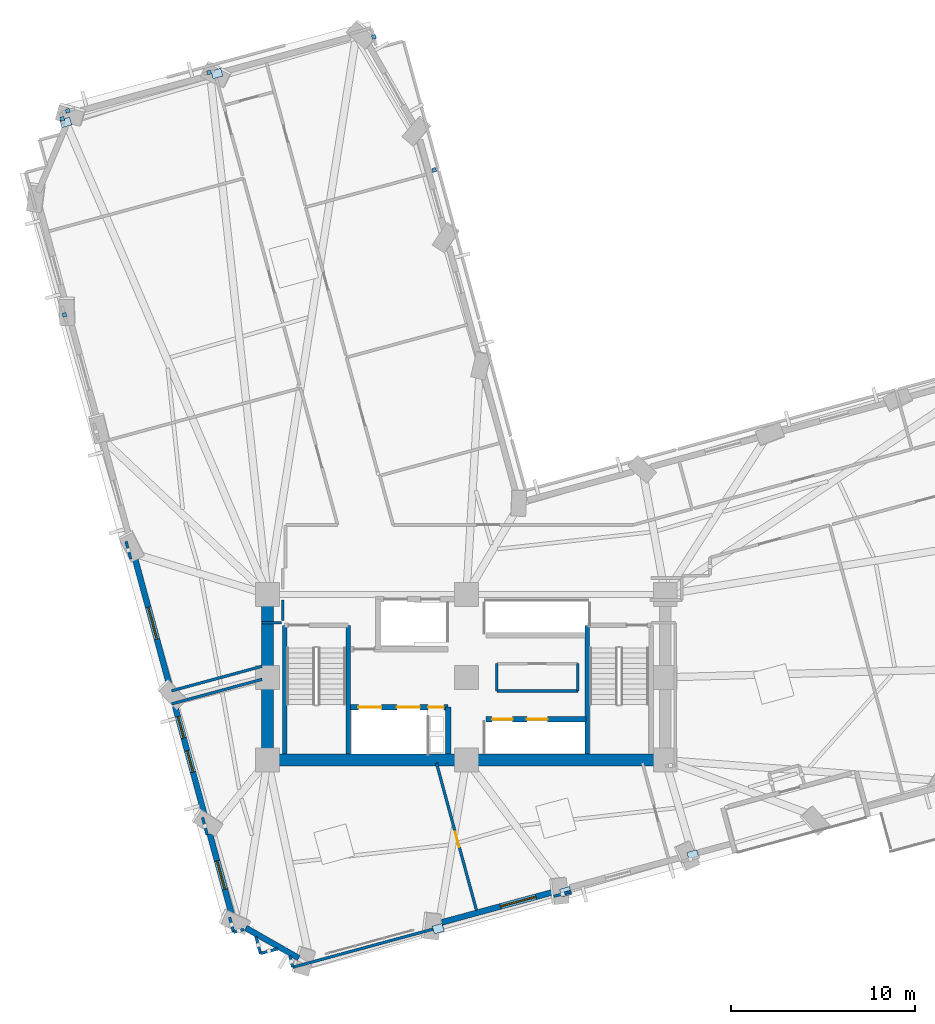
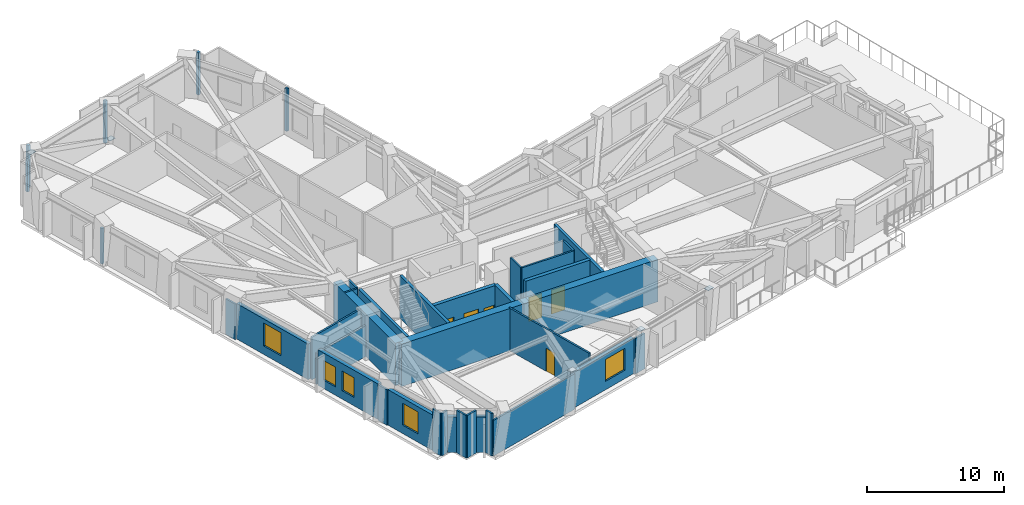
# One storey, part 7 of 15: 31 walls, 11 plates, 6 doors, 5 windows, 11 openings.
"""IFC4 building model written with IfcOpenShell, lengths in metres."""

from ifc_helpers import new_model, si_unit, direction, frame, frame_2d, origin, origin_2d, place, context, subcontext, project, spatial, rectangle, extrude, material, layer, layer_set, type_object, element, fill, save


model = new_model("IFC4")

# Units and contexts
model_context = context("Model", 3, precision=1e-05, world=origin(), true_north=direction((0.0, 1.0)))
body_context = subcontext(model_context, "Body", "Model", "MODEL_VIEW")
ifc_project = project(units=[si_unit("LENGTHUNIT", "METRE"), si_unit("AREAUNIT", "SQUARE_METRE"), si_unit("VOLUMEUNIT", "CUBIC_METRE"), si_unit("PLANEANGLEUNIT", "RADIAN"), si_unit("MASSUNIT", "GRAM", prefix="KILO")], contexts=[model_context])

# Site, building, storey
site_placement = place(None, origin())
site = spatial("IfcSite", under=ifc_project, at=site_placement, CompositionType="ELEMENT")
building_placement = place(site_placement, origin())
building = spatial("IfcBuilding", under=site, at=building_placement, Name="Gaonmaruhae Medical Tower", CompositionType="ELEMENT")
storey_placement = place(building_placement, frame((0.0, 0.0, 88.39990234375)))
storey = spatial("IfcBuildingStorey", under=building, at=storey_placement, Name="L20", CompositionType="ELEMENT", Elevation=88.39990234375)

# Plates
ifc_material_1 = material(Name="Steel HSA650 (650 MPa)", Category="steel")
ifc_layer_1 = layer(ifc_material_1, 0.028076171875)
ifc_layer_set_1 = layer_set([ifc_layer_1], Name="Steel HSA650 (650 MPa)")
plate_type_1 = type_object("IfcPlateType", Name="GP-02 Tube Brace End Cap Gusset Plate", PredefinedType="USERDEFINED", material=ifc_layer_set_1)
for number, where, z_axis, x_axis, name in (
    (1, (11.245849609375, 45.09912109375, 0.23583984375), (0.0, 0.0, 1.0), (0.965016494472, 0.262189178641, 0.0), "L20 Gusset Cap Plate PLT-L20-PBR-N02A"),
    (2, (3.035888671875, 42.44482421875, 3.51611328125), (0.0, 0.0, 1.0), (0.960536785663, 0.278152985584, 0.0), "L20 Gusset Cap Plate PLT-L20-PBR-N02B"),
    (3, (23.267578125, -1.356201171875, 3.61083984375), (0.0, 0.0, 1.0), (0.960536785663, 0.278152985584, 0.0), "L20 Gusset Cap Plate PLT-L20-SGPR1A"),
    (4, (30.18359375, 0.646484375, 3.61083984375), (0.0, 0.0, 1.0), (0.960536785663, 0.278152985584, 0.0), "L20 Gusset Cap Plate PLT-L20-SGPR1B"),
    (5, (37.099365234375, 2.649169921875, 3.61083984375), (0.0, 0.0, 1.0), (0.960536785663, 0.278152985584, 0.0), "L20 Gusset Cap Plate PLT-L20-SGPR2B"),
):
    element("IfcPlate", number, at=place(storey_placement, frame(where, z_axis=z_axis, x_axis=x_axis)), inside=storey, type_object=plate_type_1, Name=name, ObjectType="GUSSET_PLATE", PredefinedType="USERDEFINED", context=body_context, shape_type="SweptSolid", body=[
        extrude(rectangle(XDim=0.56005859375, YDim=0.43994140625, at=origin_2d()), origin(), (0.0, 0.0, 1.0), 0.028076171875),
    ])
ifc_material_2 = material(Name="Anodised aluminium 6063-T6", Category="aluminium")
ifc_layer_2 = layer(ifc_material_2, 0.011962890625)
ifc_layer_set_2 = layer_set([ifc_layer_2], Name="Anodised aluminium 6063-T6")
plate_type_2 = type_object("IfcPlateType", Name="PP-01 Interior Partition Corner Stiffener Plate", PredefinedType="SHEET", material=ifc_layer_set_2)
plate_1_placement = place(storey_placement, frame((2.962890625, 31.990478515625, 0.0), z_axis=(0.0, 0.0, 1.0), x_axis=(-0.262323917806, 0.96497987655, 0.0)))
element("IfcPlate", 6, at=plate_1_placement, inside=storey, type_object=plate_type_2, Name="L20 Partition Corner Stiffener Plate PLT-L20-JGP-PW047", PredefinedType="SHEET", context=body_context, shape_type="SweptSolid", body=[
    extrude(rectangle(XDim=0.219970703125, YDim=0.219970703125, at=origin_2d()), origin(), (0.0, 0.0, 1.0), 3.1650390625),
])
plate_2_placement = place(storey_placement, frame((2.844970703125, 42.64453125, 0.0), z_axis=(0.0, 0.0, 1.0), x_axis=(-0.261734396237, 0.965139941059, 0.0)))
element("IfcPlate", 7, at=plate_2_placement, inside=storey, type_object=plate_type_2, Name="L20 Partition Corner Stiffener Plate PLT-L20-JGP-PW049", PredefinedType="SHEET", context=body_context, shape_type="SweptSolid", body=[
    extrude(rectangle(XDim=0.219970703125, YDim=0.219970703125, at=origin_2d()), origin(), (0.0, 0.0, 1.0), 2.764892578125),
])
for number, where, z_axis, x_axis, name in (
    (8, (3.139404296875, 43.072998046875, 0.0), (0.0, 0.0, 1.0), (0.964966139979, 0.262374443675, 0.0), "L20 Partition Corner Stiffener Plate PLT-L20-JGP-PW050"),
    (9, (10.821533203125, 45.159912109375, 0.0), (0.0, 0.0, 1.0), (0.96503937112, 0.262104964067, 0.0), "L20 Partition Corner Stiffener Plate PLT-L20-JGP-PW051"),
    (10, (23.049560546875, 39.861083984375, 0.0), (0.0, 0.0, 1.0), (-0.964952400763, -0.262424968824, 0.0), "L20 Partition Corner Stiffener Plate PLT-L20-JGP-PW079"),
    (11, (19.77294921875, 47.08642578125, 0.0), (0.0, 0.0, 1.0), (0.261734396237, -0.965139941059, 0.0), "L20 Partition Corner Stiffener Plate PLT-L20-JGP-PW082"),
):
    element("IfcPlate", number, at=place(storey_placement, frame(where, z_axis=z_axis, x_axis=x_axis)), inside=storey, type_object=plate_type_2, Name=name, PredefinedType="SHEET", context=body_context, shape_type="SweptSolid", body=[
        extrude(rectangle(XDim=0.219970703125, YDim=0.219970703125, at=origin_2d()), origin(), (0.0, 0.0, 1.0), 3.780029296875),
    ])

# Walls
ifc_material_3 = material(Name="Concrete C60/75", Category="concrete")
ifc_layer_3 = layer(ifc_material_3, 0.64990234375)
ifc_layer_set_3 = layer_set([ifc_layer_3], Name="Concrete C60/75")
wall_type_1 = type_object("IfcWallType", Name="CW-650 Zone 2 Core Shear Wall", PredefinedType="SHEAR", material=ifc_layer_set_3)
for number, where, z_axis, x_axis, name in (
    (12, (14.0, 7.800048828125, 0.0), (0.0, 0.0, 1.0), (1.0, 0.0, 0.0), "L20 Core Shear Wall CSW-S1"),
    (13, (24.800048828125, 7.800048828125, 0.0), (0.0, 0.0, 1.0), (1.0, 0.0, 0.0), "L20 Core Shear Wall CSW-S2"),
):
    element("IfcWall", number, at=place(storey_placement, frame(where, z_axis=z_axis, x_axis=x_axis)), inside=storey, type_object=wall_type_1, Name=name, PredefinedType="SHEAR", context=body_context, shape_type="SweptSolid", body=[
        extrude(rectangle(XDim=10.800048828125, YDim=0.64990234375, at=frame_2d((5.39990234375, 0.0))), origin(), (0.0, 0.0, 1.0), 3.780029296875),
    ])
wall_1_placement = place(storey_placement, frame((14.0, 16.800048828125, 0.0), z_axis=(0.0, 0.0, 1.0), x_axis=(0.0, -1.0, 0.0)))
element("IfcWall", 14, at=wall_1_placement, inside=storey, type_object=wall_type_1, Name="L20 Core Shear Wall CSW-W1", PredefinedType="SHEAR", context=body_context, shape_type="SweptSolid", body=[
    extrude(rectangle(XDim=9.0, YDim=0.64990234375, at=frame_2d((4.5, 0.0))), origin(), (0.0, 0.0, 1.0), 3.780029296875),
])

# Wall, opening, window
ifc_material_4 = material(Name="Precast concrete C45/55", Category="concrete")
ifc_layer_4 = layer(ifc_material_4, 0.320068359375)
ifc_layer_set_4 = layer_set([ifc_layer_4], Name="Precast concrete C45/55")
wall_type_2 = type_object("IfcWallType", Name="EW-320 Lower Precast Masonry-Frame Facade Wall", PredefinedType="SOLIDWALL", material=ifc_layer_set_4)
wall_2_placement = place(storey_placement, frame((29.48974609375, 0.626708984375, 0.0), z_axis=(0.0, 0.0, 1.0), x_axis=(-0.965017319064, -0.262186143622, 0.0)))
wall_2 = element("IfcWall", 15, at=wall_2_placement, inside=storey, type_object=wall_type_2, Name="L20 Precast Masonry-Frame Wall S02-S03", PredefinedType="SOLIDWALL", context=body_context, shape_type="SweptSolid", body=[
    extrude(rectangle(XDim=6.234130859375, YDim=0.320068359375, at=frame_2d((3.1171875, 0.0))), origin(), (0.0, 0.0, 1.0), 3.1650390625),
])
opening_1_placement = place(wall_2_placement, frame((0.9443359375, 0.0, 0.75)))
opening_1 = element("IfcOpeningElement", 16, at=opening_1_placement, cuts=wall_2, Name="Opening WN-02", PredefinedType="OPENING", context=body_context, shape_type="SweptSolid", body=[
    extrude(rectangle(XDim=2.0, YDim=1.949951171875, at=frame_2d((1.0, 0.97509765625))), frame((0.0, 0.169921875, 0.0), z_axis=(0.0, -1.0, 0.0), x_axis=(1.0, 0.0, 0.0)), (0.0, 0.0, 1.0), 0.340087890625),
])
ifc_material_5 = material(Name="Anodised aluminium and Low-E double glazing", Category="aluminium")
window_type_1 = type_object("IfcWindowType", Name="WN-02 Double-Bed Ward Punched Window 2000x1950", PartitioningType="SINGLE_PANEL", PredefinedType="WINDOW", material=ifc_material_5)
window_1_placement = place(opening_1_placement, origin())
window_1 = element("IfcWindow", 17, at=window_1_placement, inside=storey, type_object=window_type_1, Name="L20 Modular Facade Window S02", OverallHeight=1.949951171875, OverallWidth=2.0, PartitioningType="SINGLE_PANEL", PredefinedType="WINDOW", context=body_context, shape_type="SweptSolid", body=[
    extrude(rectangle(XDim=2.0, YDim=1.949951171875, at=frame_2d((1.0, 0.97509765625))), frame((0.0, 0.030029296875, 0.0), z_axis=(0.0, -1.0, 0.0), x_axis=(1.0, 0.0, 0.0)), (0.0, 0.0, 1.0), 0.06005859375),
])
fill(opening_1, window_1)

wall_3_placement = place(storey_placement, frame((8.718505859375, 11.68359375, 0.0), z_axis=(0.0, 0.0, 1.0), x_axis=(-0.262177034056, 0.965019794001, 0.0)))
wall_3 = element("IfcWall", 18, at=wall_3_placement, inside=storey, type_object=wall_type_2, Name="L20 Precast Masonry-Frame Wall W04-W05", PredefinedType="SOLIDWALL", context=body_context, shape_type="SweptSolid", body=[
    extrude(rectangle(XDim=7.3603515625, YDim=0.320068359375, at=frame_2d((3.68017578125, 0.0))), origin(), (0.0, 0.0, 1.0), 3.1650390625),
])
opening_2_placement = place(wall_3_placement, frame((2.781005859375, 0.0, 0.75)))
opening_2 = element("IfcOpeningElement", 19, at=opening_2_placement, cuts=wall_3, Name="Opening WN-04", PredefinedType="OPENING", context=body_context, shape_type="SweptSolid", body=[
    extrude(rectangle(XDim=1.800048828125, YDim=2.050048828125, at=frame_2d((0.89990234375, 1.02490234375))), frame((0.0, 0.169921875, 0.0), z_axis=(0.0, -1.0, 0.0), x_axis=(1.0, 0.0, 0.0)), (0.0, 0.0, 1.0), 0.340087890625),
])
window_type_2 = type_object("IfcWindowType", Name="WN-04 Clinic & Consult Punched Window 1800x2050", PartitioningType="SINGLE_PANEL", PredefinedType="WINDOW", material=ifc_material_5)
window_2_placement = place(opening_2_placement, origin())
window_2 = element("IfcWindow", 20, at=window_2_placement, inside=storey, type_object=window_type_2, Name="L20 Modular Facade Window W04", OverallHeight=2.050048828125, OverallWidth=1.800048828125, PartitioningType="SINGLE_PANEL", PredefinedType="WINDOW", context=body_context, shape_type="SweptSolid", body=[
    extrude(rectangle(XDim=1.800048828125, YDim=2.050048828125, at=frame_2d((0.89990234375, 1.02490234375))), frame((0.0, 0.030029296875, 0.0), z_axis=(0.0, -1.0, 0.0), x_axis=(1.0, 0.0, 0.0)), (0.0, 0.0, 1.0), 0.06005859375),
])
fill(opening_2, window_2)

# Wall, openings, windows
wall_4_placement = place(storey_placement, frame((10.60888671875, 4.725830078125, 0.0), z_axis=(0.0, 0.0, 1.0), x_axis=(-0.262164626443, 0.965023164821, 0.0)))
wall_4 = element("IfcWall", 21, at=wall_4_placement, inside=storey, type_object=wall_type_2, Name="L20 Precast Masonry-Frame Wall W05-W06", PredefinedType="SOLIDWALL", context=body_context, shape_type="SweptSolid", body=[
    extrude(rectangle(XDim=6.2236328125, YDim=0.320068359375, at=frame_2d((3.11181640625, 0.0))), origin(), (0.0, 0.0, 1.0), 3.1650390625),
])
opening_3_placement = place(wall_4_placement, frame((2.514404296875, 0.0, 0.75)))
opening_3 = element("IfcOpeningElement", 22, at=opening_3_placement, cuts=wall_4, Name="Opening WN-05", PredefinedType="OPENING", context=body_context, shape_type="SweptSolid", body=[
    extrude(rectangle(XDim=1.199951171875, YDim=1.75, at=frame_2d((0.60009765625, 0.875))), frame((0.0, 0.169921875, 0.0), z_axis=(0.0, -1.0, 0.0), x_axis=(1.0, 0.0, 0.0)), (0.0, 0.0, 1.0), 0.340087890625),
])
opening_4_placement = place(wall_4_placement, frame((4.43310546875, 0.0, 0.75)))
opening_4 = element("IfcOpeningElement", 23, at=opening_4_placement, cuts=wall_4, Name="Opening WN-05", PredefinedType="OPENING", context=body_context, shape_type="SweptSolid", body=[
    extrude(rectangle(XDim=1.199951171875, YDim=1.75, at=frame_2d((0.60009765625, 0.875))), frame((0.0, 0.169921875, 0.0), z_axis=(0.0, -1.0, 0.0), x_axis=(1.0, 0.0, 0.0)), (0.0, 0.0, 1.0), 0.340087890625),
])
window_type_3 = type_object("IfcWindowType", Name="WN-05 Support & Staff Punched Window 1200x1750", PartitioningType="SINGLE_PANEL", PredefinedType="WINDOW", material=ifc_material_5)
window_3_placement = place(opening_3_placement, origin())
window_3 = element("IfcWindow", 24, at=window_3_placement, inside=storey, type_object=window_type_3, Name="L20 Modular Facade Window W05", OverallHeight=1.75, OverallWidth=1.199951171875, PartitioningType="SINGLE_PANEL", PredefinedType="WINDOW", context=body_context, shape_type="SweptSolid", body=[
    extrude(rectangle(XDim=1.199951171875, YDim=1.75, at=frame_2d((0.60009765625, 0.875))), frame((0.0, 0.030029296875, 0.0), z_axis=(0.0, -1.0, 0.0), x_axis=(1.0, 0.0, 0.0)), (0.0, 0.0, 1.0), 0.06005859375),
])
fill(opening_3, window_3)
window_4_placement = place(opening_4_placement, origin())
window_4 = element("IfcWindow", 25, at=window_4_placement, inside=storey, type_object=window_type_3, Name="L20 Modular Facade Window W05B", OverallHeight=1.75, OverallWidth=1.199951171875, PartitioningType="SINGLE_PANEL", PredefinedType="WINDOW", context=body_context, shape_type="SweptSolid", body=[
    extrude(rectangle(XDim=1.199951171875, YDim=1.75, at=frame_2d((0.60009765625, 0.875))), frame((0.0, 0.030029296875, 0.0), z_axis=(0.0, -1.0, 0.0), x_axis=(1.0, 0.0, 0.0)), (0.0, 0.0, 1.0), 0.06005859375),
])
fill(opening_4, window_4)

# Wall, opening, window
wall_5_placement = place(storey_placement, frame((12.08056640625, -0.69091796875, 0.0), z_axis=(0.0, 0.0, 1.0), x_axis=(-0.262174980987, 0.965020351777, 0.0)))
wall_5 = element("IfcWall", 26, at=wall_5_placement, inside=storey, type_object=wall_type_2, Name="L20 Precast Masonry-Frame Wall W06-W07", PredefinedType="SOLIDWALL", context=body_context, shape_type="SweptSolid", body=[
    extrude(rectangle(XDim=4.647705078125, YDim=0.320068359375, at=frame_2d((2.32373046875, 0.0))), origin(), (0.0, 0.0, 1.0), 3.1650390625),
])
opening_5_placement = place(wall_5_placement, frame((1.527099609375, 0.0, 0.75)))
opening_5 = element("IfcOpeningElement", 27, at=opening_5_placement, cuts=wall_5, Name="Opening WN-01", PredefinedType="OPENING", context=body_context, shape_type="SweptSolid", body=[
    extrude(rectangle(XDim=1.60009765625, YDim=1.949951171875, at=frame_2d((0.800048828125, 0.97509765625))), frame((0.0, 0.169921875, 0.0), z_axis=(0.0, -1.0, 0.0), x_axis=(1.0, 0.0, 0.0)), (0.0, 0.0, 1.0), 0.340087890625),
])
window_type_4 = type_object("IfcWindowType", Name="WN-01 Ward Punched Acoustic Window 1600x1950", PartitioningType="SINGLE_PANEL", PredefinedType="WINDOW", material=ifc_material_5)
window_5_placement = place(opening_5_placement, origin())
window_5 = element("IfcWindow", 28, at=window_5_placement, inside=storey, type_object=window_type_4, Name="L20 Modular Facade Window W06", OverallHeight=1.949951171875, OverallWidth=1.60009765625, PartitioningType="SINGLE_PANEL", PredefinedType="WINDOW", context=body_context, shape_type="SweptSolid", body=[
    extrude(rectangle(XDim=1.60009765625, YDim=1.949951171875, at=frame_2d((0.800048828125, 0.97509765625))), frame((0.0, 0.030029296875, 0.0), z_axis=(0.0, -1.0, 0.0), x_axis=(1.0, 0.0, 0.0)), (0.0, 0.0, 1.0), 0.06005859375),
])
fill(opening_5, window_5)

# Walls
wall_6_placement = place(storey_placement, frame((15.694091796875, -2.95849609375, 0.0), z_axis=(0.0, 0.0, 1.0), x_axis=(-0.867754387162, 0.496993283215, 0.0)))
element("IfcWall", 29, at=wall_6_placement, inside=storey, type_object=wall_type_2, Name="L20 Precast Masonry-Frame Wall W07-S01", PredefinedType="SOLIDWALL", context=body_context, shape_type="SweptSolid", body=[
    extrude(rectangle(XDim=3.32275390625, YDim=0.320068359375, at=frame_2d((1.661376953125, 0.0))), origin(), (0.0, 0.0, 1.0), 3.1650390625),
])
ifc_material_6 = material(Name="Gypsum board partition", Category="gypsum")
ifc_layer_5 = layer(ifc_material_6, 0.14990234375)
ifc_layer_set_5 = layer_set([ifc_layer_5], Name="Gypsum board partition")
wall_type_3 = type_object("IfcWallType", Name="PW-150 Rated Clinical Corridor Partition", PredefinedType="PARTITIONING", material=ifc_layer_set_5)
for number, where, z_axis, x_axis, name in (
    (30, (26.449951171875, 11.56005859375, 0.0), (0.0, 0.0, 1.0), (0.0, 1.0, 0.0), "L20 Interior Partition L20-CS1-1"),
    (31, (30.85009765625, 13.0400390625, 0.0), (0.0, 0.0, 1.0), (0.0, -1.0, 0.0), "L20 Interior Partition L20-CS1-3"),
):
    element("IfcWall", number, at=place(storey_placement, frame(where, z_axis=z_axis, x_axis=x_axis)), inside=storey, type_object=wall_type_3, Name=name, PredefinedType="PARTITIONING", context=body_context, shape_type="SweptSolid", body=[
        extrude(rectangle(XDim=1.47998046875, YDim=0.14990234375, at=frame_2d((0.739990234375, 0.0))), origin(), (0.0, 0.0, 1.0), 3.780029296875),
    ])
wall_7_placement = place(storey_placement, frame((30.85009765625, 11.56005859375, 0.0), z_axis=(0.0, 0.0, 1.0), x_axis=(-1.0, 0.0, 0.0)))
element("IfcWall", 32, at=wall_7_placement, inside=storey, type_object=wall_type_3, Name="L20 Interior Partition L20-CS1-4", PredefinedType="PARTITIONING", context=body_context, shape_type="SweptSolid", body=[
    extrude(rectangle(XDim=4.400146484375, YDim=0.14990234375, at=frame_2d((2.2001953125, 0.0))), origin(), (0.0, 0.0, 1.0), 3.780029296875),
])
wall_8_placement = place(storey_placement, frame((8.7880859375, 10.85693359375, 0.0), z_axis=(0.0, 0.0, 1.0), x_axis=(0.965043326871, 0.262090399027, 0.0)))
element("IfcWall", 33, at=wall_8_placement, inside=storey, type_object=wall_type_3, Name="L20 Interior Partition L20-SUP01-5", PredefinedType="PARTITIONING", context=body_context, shape_type="SweptSolid", body=[
    extrude(rectangle(XDim=5.08984375, YDim=0.14990234375, at=frame_2d((2.544921875, 0.0))), origin(), (0.0, 0.0, 1.0), 2.76513671875),
])

# Wall, opening, door
wall_9_placement = place(storey_placement, frame((23.172119140625, 7.64599609375, 0.0), z_axis=(0.0, 0.0, 1.0), x_axis=(0.262180889196, -0.965018746626, 0.0)))
wall_9 = element("IfcWall", 34, at=wall_9_placement, inside=storey, type_object=wall_type_3, Name="L20 Interior Partition L20-SUP01-6", PredefinedType="PARTITIONING", context=body_context, shape_type="SweptSolid", body=[
    extrude(rectangle(XDim=8.295166015625, YDim=0.14990234375, at=frame_2d((4.1474609375, 0.0))), origin(), (0.0, 0.0, 1.0), 3.780029296875),
])
opening_6_placement = place(wall_9_placement, frame((3.872802734375, 0.0, 0.0)))
opening_6 = element("IfcOpeningElement", 35, at=opening_6_placement, cuts=wall_9, Name="Opening AD-01", PredefinedType="OPENING", context=body_context, shape_type="SweptSolid", body=[
    extrude(rectangle(XDim=0.860107421875, YDim=2.06005859375, at=frame_2d((0.43017578125, 1.030029296875))), frame((0.0, 0.0849609375, 0.0), z_axis=(0.0, -1.0, 0.0), x_axis=(1.0, 0.0, 0.0)), (0.0, 0.0, 1.0), 0.169921875),
])
ifc_material_7 = material(Name="Powder-coated steel access door", Category="steel")
door_type_1 = type_object("IfcDoorType", Name="AD-01 Riser & Closet Access Fire Door 860x2060", OperationType="NOTDEFINED", PredefinedType="DOOR", material=ifc_material_7)
door_1_placement = place(opening_6_placement, origin())
door_1 = element("IfcDoor", 36, at=door_1_placement, inside=storey, type_object=door_type_1, Name="L20 Clinical Biomedical Charting Office Sliding Door", OperationType="SLIDING_TO_LEFT", OverallHeight=2.06005859375, OverallWidth=0.860107421875, PredefinedType="DOOR", context=body_context, shape_type="SweptSolid", body=[
    extrude(rectangle(XDim=0.860107421875, YDim=2.06005859375, at=frame_2d((0.43017578125, 1.030029296875))), frame((0.0, 0.02490234375, 0.0), z_axis=(0.0, -1.0, 0.0), x_axis=(1.0, 0.0, 0.0)), (0.0, 0.0, 1.0), 0.050048828125),
])
fill(opening_6, door_1)

# Walls
wall_10_placement = place(storey_placement, frame((23.533935546875, -1.22998046875, 0.0), z_axis=(0.0, 0.0, 1.0), x_axis=(-0.965027690787, -0.262147965877, 0.0)))
element("IfcWall", 37, at=wall_10_placement, inside=storey, type_object=wall_type_3, Name="L20 Interior Partition L20-SUP01-7", PredefinedType="PARTITIONING", context=body_context, shape_type="SweptSolid", body=[
    extrude(rectangle(XDim=8.4609375, YDim=0.14990234375, at=frame_2d((4.23046875, 0.0))), origin(), (0.0, 0.0, 1.0), 3.1650390625),
])
wall_11_placement = place(storey_placement, frame((15.368896484375, -3.447998046875, 0.0), z_axis=(0.0, 0.0, 1.0), x_axis=(-0.263085049477, 0.964772645104, 0.0)))
element("IfcWall", 38, at=wall_11_placement, inside=storey, type_object=wall_type_3, Name="L20 Interior Partition L20-SUP01-8", PredefinedType="PARTITIONING", context=body_context, shape_type="SweptSolid", body=[
    extrude(rectangle(XDim=0.638427734375, YDim=0.14990234375, at=frame_2d((0.3193359375, 0.0))), origin(), (0.0, 0.0, 1.0), 3.780029296875),
])
for number, where, z_axis, x_axis, name in (
    (39, (14.5380859375, -2.451904296875, 0.0), (0.0, 0.0, 1.0), (-0.965179538474, -0.261588337873, 0.0), "L20 Interior Partition L20-SUP01-9"),
    (40, (13.612060546875, -2.702880859375, 0.0), (0.0, 0.0, 1.0), (-0.262600622638, 0.964904613415, 0.0), "L20 Interior Partition L20-SUP01-10"),
):
    element("IfcWall", number, at=place(storey_placement, frame(where, z_axis=z_axis, x_axis=x_axis)), inside=storey, type_object=wall_type_3, Name=name, PredefinedType="PARTITIONING", context=body_context, shape_type="SweptSolid", body=[
        extrude(rectangle(XDim=0.95947265625, YDim=0.14990234375, at=frame_2d((0.479736328125, 0.0))), origin(), (0.0, 0.0, 1.0), 3.780029296875),
    ])
wall_12_placement = place(storey_placement, frame((12.7080078125, -1.39404296875, 0.0), z_axis=(0.0, 0.0, 1.0), x_axis=(-0.964931347865, -0.262502369335, 0.0)))
element("IfcWall", 41, at=wall_12_placement, inside=storey, type_object=wall_type_3, Name="L20 Interior Partition L20-SUP01-11", PredefinedType="PARTITIONING", context=body_context, shape_type="SweptSolid", body=[
    extrude(rectangle(XDim=0.571044921875, YDim=0.14990234375, at=frame_2d((0.28564453125, 0.0))), origin(), (0.0, 0.0, 1.0), 3.780029296875),
])
wall_13_placement = place(storey_placement, frame((12.156982421875, -1.5439453125, 0.0), z_axis=(0.0, 0.0, 1.0), x_axis=(-0.261966037508, 0.965077092875, 0.0)))
element("IfcWall", 42, at=wall_13_placement, inside=storey, type_object=wall_type_3, Name="L20 Interior Partition L20-SUP01-12", PredefinedType="PARTITIONING", context=body_context, shape_type="SweptSolid", body=[
    extrude(rectangle(XDim=0.843505859375, YDim=0.14990234375, at=frame_2d((0.421875, 0.0))), origin(), (0.0, 0.0, 1.0), 3.780029296875),
])
wall_14_placement = place(storey_placement, frame((10.717041015625, 3.7548828125, 0.0), z_axis=(0.0, 0.0, 1.0), x_axis=(-0.261876638112, 0.965101355512, 0.0)))
element("IfcWall", 43, at=wall_14_placement, inside=storey, type_object=wall_type_3, Name="L20 Interior Partition L20-SUP01-13", PredefinedType="PARTITIONING", context=body_context, shape_type="SweptSolid", body=[
    extrude(rectangle(XDim=0.9658203125, YDim=0.14990234375, at=frame_2d((0.48291015625, 0.0))), origin(), (0.0, 0.0, 1.0), 3.1650390625),
])
wall_15_placement = place(storey_placement, frame((30.4951171875, 0.662109375, 0.0), z_axis=(0.0, 0.0, 1.0), x_axis=(-0.964936187414, -0.26248457901, 0.0)))
element("IfcWall", 44, at=wall_15_placement, inside=storey, type_object=wall_type_3, Name="L20 Interior Partition L20-SUP02-14", PredefinedType="PARTITIONING", context=body_context, shape_type="SweptSolid", body=[
    extrude(rectangle(XDim=0.9794921875, YDim=0.14990234375, at=frame_2d((0.48974609375, 0.0))), origin(), (0.0, 0.0, 1.0), 3.1650390625),
])
wall_16_placement = place(storey_placement, frame((14.820068359375, 16.490966796875, 0.0), z_axis=(0.0, 0.0, 1.0), x_axis=(0.0, -1.0, 0.0)))
element("IfcWall", 45, at=wall_16_placement, inside=storey, type_object=wall_type_3, Name="L20 Interior Partition L20-WOF05-37", PredefinedType="PARTITIONING", context=body_context, shape_type="SweptSolid", body=[
    extrude(rectangle(XDim=1.114990234375, YDim=0.14990234375, at=frame_2d((0.5576171875, 0.0))), origin(), (0.0, 0.0, 1.0), 3.780029296875),
])
wall_17_placement = place(storey_placement, frame((14.760009765625, 15.260009765625, 0.0), z_axis=(0.0, 0.0, 1.0), x_axis=(-1.0, 0.0, 0.0)))
element("IfcWall", 46, at=wall_17_placement, inside=storey, type_object=wall_type_3, Name="L20 Interior Partition L20-WOF05-38", PredefinedType="PARTITIONING", context=body_context, shape_type="SweptSolid", body=[
    extrude(rectangle(XDim=1.06005859375, YDim=0.14990234375, at=frame_2d((0.530029296875, 0.0))), origin(), (0.0, 0.0, 1.0), 3.780029296875),
])
wall_18_placement = place(storey_placement, frame((13.699951171875, 12.90087890625, 0.0), z_axis=(0.0, 0.0, 1.0), x_axis=(-0.965050804905, -0.262062862595, 0.0)))
element("IfcWall", 47, at=wall_18_placement, inside=storey, type_object=wall_type_3, Name="L20 Interior Partition L20-WOF05-39", PredefinedType="PARTITIONING", context=body_context, shape_type="SweptSolid", body=[
    extrude(rectangle(XDim=5.093994140625, YDim=0.14990234375, at=frame_2d((2.546875, 0.0))), origin(), (0.0, 0.0, 1.0), 3.780029296875),
])
wall_19_placement = place(storey_placement, frame((6.56689453125, 18.72607421875, 0.0), z_axis=(0.0, 0.0, 1.0), x_axis=(-0.262179910304, 0.965019012576, 0.0)))
element("IfcWall", 48, at=wall_19_placement, inside=storey, type_object=wall_type_3, Name="L20 Interior Partition L20-WOF05-40", PredefinedType="PARTITIONING", context=body_context, shape_type="SweptSolid", body=[
    extrude(rectangle(XDim=0.99169921875, YDim=0.14990234375, at=frame_2d((0.495849609375, 0.0))), origin(), (0.0, 0.0, 1.0), 3.1650390625),
])
ifc_material_8 = material(Name="Concrete C50/60", Category="concrete")
ifc_layer_6 = layer(ifc_material_8, 0.239990234375)
ifc_layer_set_6 = layer_set([ifc_layer_6], Name="Concrete C50/60")
wall_type_4 = type_object("IfcWallType", Name="SW-240 Dogleg Stair Tight Shaft Wall", PredefinedType="SOLIDWALL", material=ifc_layer_set_6)
for number, where, z_axis, x_axis, name in (
    (49, (18.3798828125, 15.1201171875, 0.0), (0.0, 0.0, 1.0), (0.0, -1.0, 0.0), "L20 ST-01 Stair Shaft Wall SHW-ST-01-E"),
    (50, (14.919921875, 8.125, 0.0), (0.0, 0.0, 1.0), (0.0, 1.0, 0.0), "L20 ST-01 Stair Shaft Wall SHW-ST-01-W"),
    (51, (31.3701171875, 8.125, 0.0), (0.0, 0.0, 1.0), (0.0, 1.0, 0.0), "L20 ST-02 Stair Shaft Wall SHW-ST-02-W"),
):
    element("IfcWall", number, at=place(storey_placement, frame(where, z_axis=z_axis, x_axis=x_axis)), inside=storey, type_object=wall_type_4, Name=name, PredefinedType="SOLIDWALL", context=body_context, shape_type="SweptSolid", body=[
        extrude(rectangle(XDim=6.9951171875, YDim=0.239990234375, at=frame_2d((3.49755859375, 0.0))), origin(), (0.0, 0.0, 1.0), 3.780029296875),
    ])

# Wall, openings, doors
ifc_layer_7 = layer(ifc_material_8, 0.300048828125)
ifc_layer_set_7 = layer_set([ifc_layer_7], Name="Concrete C50/60")
wall_type_5 = type_object("IfcWallType", Name="SW-300 Stair & Lift Hoistway Shaft Wall", PredefinedType="SOLIDWALL", material=ifc_layer_set_7)
wall_20_placement = place(storey_placement, frame((18.5, 10.679931640625, 0.0), z_axis=(0.0, 0.0, 1.0), x_axis=(1.0, 0.0, 0.0)))
wall_20 = element("IfcWall", 52, at=wall_20_placement, inside=storey, type_object=wall_type_5, Name="L20 Shaft Enclosure Wall SHW-FFN", PredefinedType="SOLIDWALL", context=body_context, shape_type="SweptSolid", body=[
    extrude(rectangle(XDim=5.300048828125, YDim=0.300048828125, at=frame_2d((2.64990234375, 0.0))), origin(), (0.0, 0.0, 1.0), 3.780029296875),
])
opening_7_placement = place(wall_20_placement, frame((4.219970703125, 0.0, 0.0)))
opening_7 = element("IfcOpeningElement", 53, at=opening_7_placement, cuts=wall_20, Name="Opening AD-01", PredefinedType="OPENING", context=body_context, shape_type="SweptSolid", body=[
    extrude(rectangle(XDim=0.860107421875, YDim=2.06005859375, at=frame_2d((0.43017578125, 1.030029296875))), frame((0.0, 0.16015625, 0.0), z_axis=(0.0, -1.0, 0.0), x_axis=(1.0, 0.0, 0.0)), (0.0, 0.0, 1.0), 0.320068359375),
])
opening_8_placement = place(wall_20_placement, frame((0.425048828125, 0.0, 0.0)))
opening_8 = element("IfcOpeningElement", 54, at=opening_8_placement, cuts=wall_20, Name="Opening LD-F1", PredefinedType="OPENING", context=body_context, shape_type="SweptSolid", body=[
    extrude(rectangle(XDim=1.25, YDim=2.179931640625, at=frame_2d((0.625, 1.08984375))), frame((0.0, 0.16015625, 0.0), z_axis=(0.0, -1.0, 0.0), x_axis=(1.0, 0.0, 0.0)), (0.0, 0.0, 1.0), 0.320068359375),
])
opening_9_placement = place(wall_20_placement, frame((2.52490234375, 0.0, 0.0)))
opening_9 = element("IfcOpeningElement", 55, at=opening_9_placement, cuts=wall_20, Name="Opening LD-F1", PredefinedType="OPENING", context=body_context, shape_type="SweptSolid", body=[
    extrude(rectangle(XDim=1.25, YDim=2.179931640625, at=frame_2d((0.625, 1.08984375))), frame((0.0, 0.16015625, 0.0), z_axis=(0.0, -1.0, 0.0), x_axis=(1.0, 0.0, 0.0)), (0.0, 0.0, 1.0), 0.320068359375),
])
door_2_placement = place(opening_7_placement, origin())
door_2 = element("IfcDoor", 56, at=door_2_placement, inside=storey, type_object=door_type_1, Name="L20 Medical Gas and MEP Riser Access Door", OperationType="SINGLE_SWING_RIGHT", OverallHeight=2.06005859375, OverallWidth=0.860107421875, PredefinedType="DOOR", context=body_context, shape_type="SweptSolid", body=[
    extrude(rectangle(XDim=0.860107421875, YDim=2.06005859375, at=frame_2d((0.43017578125, 1.030029296875))), frame((0.0, 0.02490234375, 0.0), z_axis=(0.0, -1.0, 0.0), x_axis=(1.0, 0.0, 0.0)), (0.0, 0.0, 1.0), 0.050048828125),
])
fill(opening_7, door_2)
ifc_material_9 = material(Name="Brushed stainless steel 316L landing door", Category="steel")
door_type_2 = type_object("IfcDoorType", Name="LD-F1 Firefighting & Bed Lift Sliding Landing Door 1250x2180", OperationType="NOTDEFINED", PredefinedType="DOOR", material=ifc_material_9)
door_3_placement = place(opening_8_placement, origin())
door_3 = element("IfcDoor", 57, at=door_3_placement, inside=storey, type_object=door_type_2, Name="L20 Firefighting Lift Landing Door FFL-01", OperationType="DOUBLE_DOOR_SLIDING", OverallHeight=2.179931640625, OverallWidth=1.25, PredefinedType="DOOR", context=body_context, shape_type="SweptSolid", body=[
    extrude(rectangle(XDim=1.25, YDim=2.179931640625, at=frame_2d((0.625, 1.08984375))), frame((0.0, 0.02490234375, 0.0), z_axis=(0.0, -1.0, 0.0), x_axis=(1.0, 0.0, 0.0)), (0.0, 0.0, 1.0), 0.050048828125),
])
fill(opening_8, door_3)
door_4_placement = place(opening_9_placement, origin())
door_4 = element("IfcDoor", 58, at=door_4_placement, inside=storey, type_object=door_type_2, Name="L20 Firefighting Lift Landing Door FFL-02", OperationType="DOUBLE_DOOR_SLIDING", OverallHeight=2.179931640625, OverallWidth=1.25, PredefinedType="DOOR", context=body_context, shape_type="SweptSolid", body=[
    extrude(rectangle(XDim=1.25, YDim=2.179931640625, at=frame_2d((0.625, 1.08984375))), frame((0.0, 0.02490234375, 0.0), z_axis=(0.0, -1.0, 0.0), x_axis=(1.0, 0.0, 0.0)), (0.0, 0.0, 1.0), 0.050048828125),
])
fill(opening_9, door_4)

# Wall
wall_21_placement = place(storey_placement, frame((23.800048828125, 8.125, 0.0), z_axis=(0.0, 0.0, 1.0), x_axis=(0.0, 1.0, 0.0)))
element("IfcWall", 59, at=wall_21_placement, inside=storey, type_object=wall_type_5, Name="L20 Shaft Enclosure Wall SHW-FFE", PredefinedType="SOLIDWALL", context=body_context, shape_type="SweptSolid", body=[
    extrude(rectangle(XDim=2.554931640625, YDim=0.300048828125, at=frame_2d((1.27734375, 0.0))), origin(), (0.0, 0.0, 1.0), 3.780029296875),
])

# Wall, openings, doors
wall_22_placement = place(storey_placement, frame((25.85009765625, 10.02001953125, 0.0), z_axis=(0.0, 0.0, 1.0), x_axis=(1.0, 0.0, 0.0)))
wall_22 = element("IfcWall", 60, at=wall_22_placement, inside=storey, type_object=wall_type_5, Name="L20 Shaft Enclosure Wall SHW-PLS", PredefinedType="SOLIDWALL", context=body_context, shape_type="SweptSolid", body=[
    extrude(rectangle(XDim=5.449951171875, YDim=0.300048828125, at=frame_2d((2.72509765625, 0.0))), origin(), (0.0, 0.0, 1.0), 3.780029296875),
])
opening_10_placement = place(wall_22_placement, frame((0.340087890625, 0.0, 0.0)))
opening_10 = element("IfcOpeningElement", 61, at=opening_10_placement, cuts=wall_22, Name="Opening LD-P1", PredefinedType="OPENING", context=body_context, shape_type="SweptSolid", body=[
    extrude(rectangle(XDim=1.1201171875, YDim=2.14990234375, at=frame_2d((0.56005859375, 1.074951171875))), frame((0.0, 0.16015625, 0.0), z_axis=(0.0, -1.0, 0.0), x_axis=(1.0, 0.0, 0.0)), (0.0, 0.0, 1.0), 0.320068359375),
])
opening_11_placement = place(wall_22_placement, frame((2.239990234375, 0.0, 0.0)))
opening_11 = element("IfcOpeningElement", 62, at=opening_11_placement, cuts=wall_22, Name="Opening LD-P1", PredefinedType="OPENING", context=body_context, shape_type="SweptSolid", body=[
    extrude(rectangle(XDim=1.1201171875, YDim=2.14990234375, at=frame_2d((0.56005859375, 1.074951171875))), frame((0.0, 0.16015625, 0.0), z_axis=(0.0, -1.0, 0.0), x_axis=(1.0, 0.0, 0.0)), (0.0, 0.0, 1.0), 0.320068359375),
])
ifc_material_10 = material(Name="Brushed stainless steel 304 landing door", Category="steel")
door_type_3 = type_object("IfcDoorType", Name="LD-P1 Passenger Lift Sliding Landing Door 1120x2150", OperationType="NOTDEFINED", PredefinedType="DOOR", material=ifc_material_10)
door_5_placement = place(opening_10_placement, origin())
door_5 = element("IfcDoor", 63, at=door_5_placement, inside=storey, type_object=door_type_3, Name="L20 Passenger Lift Landing Door PL-L1", OperationType="DOUBLE_DOOR_SLIDING", OverallHeight=2.14990234375, OverallWidth=1.1201171875, PredefinedType="DOOR", context=body_context, shape_type="SweptSolid", body=[
    extrude(rectangle(XDim=1.1201171875, YDim=2.14990234375, at=frame_2d((0.56005859375, 1.074951171875))), frame((0.0, 0.02490234375, 0.0), z_axis=(0.0, -1.0, 0.0), x_axis=(1.0, 0.0, 0.0)), (0.0, 0.0, 1.0), 0.050048828125),
])
fill(opening_10, door_5)
door_6_placement = place(opening_11_placement, origin())
door_6 = element("IfcDoor", 64, at=door_6_placement, inside=storey, type_object=door_type_3, Name="L20 Passenger Lift Landing Door PL-L2", OperationType="DOUBLE_DOOR_SLIDING", OverallHeight=2.14990234375, OverallWidth=1.1201171875, PredefinedType="DOOR", context=body_context, shape_type="SweptSolid", body=[
    extrude(rectangle(XDim=1.1201171875, YDim=2.14990234375, at=frame_2d((0.56005859375, 1.074951171875))), frame((0.0, 0.02490234375, 0.0), z_axis=(0.0, -1.0, 0.0), x_axis=(1.0, 0.0, 0.0)), (0.0, 0.0, 1.0), 0.050048828125),
])
fill(opening_11, door_6)

save(model, "model.ifc")
